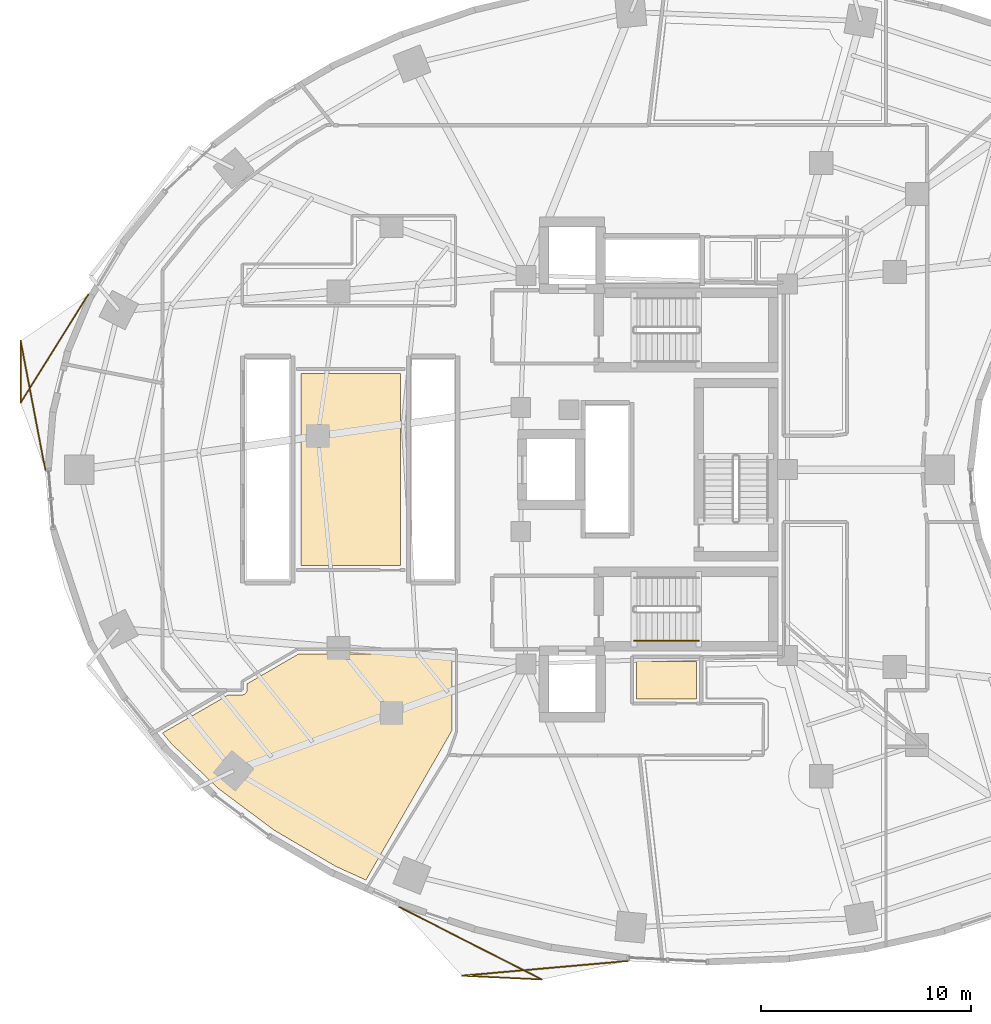
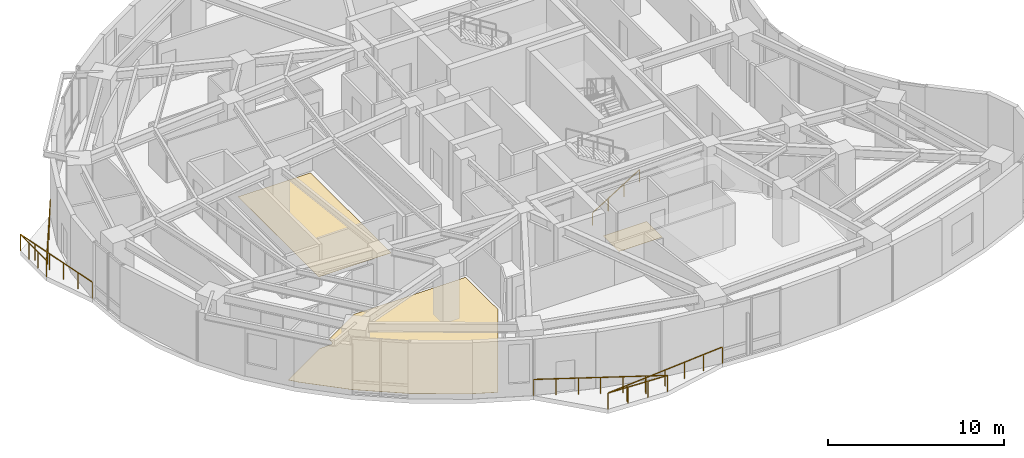
# One storey, part 13 of 15: 3 coverings, 3 railings.
"""IFC4 building model written with IfcOpenShell, lengths in metres."""

from ifc_helpers import new_model, si_unit, direction, frame, origin, origin_2d, place, context, subcontext, project, spatial, polyline, rectangle, outline, extrude, material, layer, layer_set, type_object, element, save


model = new_model("IFC4")

# Units and contexts
model_context = context("Model", 3, precision=1e-05, world=origin(), true_north=direction((0.0, 1.0)))
body_context = subcontext(model_context, "Body", "Model", "MODEL_VIEW")
ifc_project = project(units=[si_unit("LENGTHUNIT", "METRE"), si_unit("AREAUNIT", "SQUARE_METRE"), si_unit("VOLUMEUNIT", "CUBIC_METRE"), si_unit("PLANEANGLEUNIT", "RADIAN"), si_unit("MASSUNIT", "GRAM", prefix="KILO")], contexts=[model_context])

# Site, building, storey
site_placement = place(None, origin())
site = spatial("IfcSite", under=ifc_project, at=site_placement, CompositionType="ELEMENT")
building_placement = place(site_placement, origin())
building = spatial("IfcBuilding", under=site, at=building_placement, Name="Korentha Bioscience Tower", CompositionType="ELEMENT")
storey_placement = place(building_placement, frame((0.0, 0.0, 76.199951171875)))
storey = spatial("IfcBuildingStorey", under=building, at=storey_placement, Name="L17", CompositionType="ELEMENT", Elevation=76.199951171875)

# Railings
ifc_material_1 = material(Name="Stainless Steel 304", Category="steel")
railing_type_1 = type_object("IfcRailingType", Name="Brushed Stainless Stair Handrail 900", PredefinedType="HANDRAIL", material=ifc_material_1)
railing_1_placement = place(storey_placement, frame((30.25, 18.85009765625, 0.175048828125)))
element("IfcRailing", 1, at=railing_1_placement, inside=storey, type_object=railing_type_1, Name="L17 ST-2 stair handrail 1", PredefinedType="HANDRAIL", context=body_context, shape_type="SweptSolid", body=[
    extrude(rectangle(XDim=0.048095703125, YDim=0.048095703125, at=origin_2d()), frame((0.0, 0.0, 0.8759765625), z_axis=(0.847998304005, 0.0, 0.529998940003), x_axis=(0.0, 1.0, 0.0)), (0.0, 0.0, 1.0), 3.632080078125),
    extrude(rectangle(XDim=0.0419921875, YDim=0.0419921875, at=origin_2d()), origin(), (0.0, 0.0, 1.0), 0.851806640625),
    extrude(rectangle(XDim=0.0419921875, YDim=0.0419921875, at=origin_2d()), frame((1.026611328125, 0.0, 0.6416015625)), (0.0, 0.0, 1.0), 0.851806640625),
    extrude(rectangle(XDim=0.0419921875, YDim=0.0419921875, at=origin_2d()), frame((2.053466796875, 0.0, 1.283447265625)), (0.0, 0.0, 1.0), 0.851806640625),
    extrude(rectangle(XDim=0.0419921875, YDim=0.0419921875, at=origin_2d()), frame((3.080078125, 0.0, 1.925048828125)), (0.0, 0.0, 1.0), 0.851806640625),
])
ifc_material_2 = material(Name="Laminated Tempered Safety Glass", Category="glass")
railing_type_2 = type_object("IfcRailingType", Name="Laminated Glass Balcony Guardrail 1150", PredefinedType="BALUSTRADE", material=ifc_material_2)
railing_2_placement = place(storey_placement, frame((4.246337890625, 35.3291015625, 0.0)))
element("IfcRailing", 2, at=railing_2_placement, inside=storey, type_object=railing_type_2, Name="L17 Balcony Guardrail 02", PredefinedType="BALUSTRADE", context=body_context, shape_type="SweptSolid", body=[
    extrude(rectangle(XDim=0.048095703125, YDim=0.048095703125, at=origin_2d()), frame((0.0, 0.0, 1.1259765625), z_axis=(-0.530529545818, -0.847666444431, 0.0), x_axis=(0.847666444431, -0.530529545818, 0.0)), (0.0, 0.0, 1.0), 6.07861328125),
    extrude(rectangle(XDim=0.048095703125, YDim=0.048095703125, at=origin_2d()), frame((-3.224853515625, -5.152587890625, 1.1259765625), z_axis=(0.001898939773, 0.999998197012, 0.0), x_axis=(-0.999998197012, 0.001898939773, 0.0)), (0.0, 0.0, 1.0), 2.95703125),
    extrude(rectangle(XDim=0.048095703125, YDim=0.048095703125, at=origin_2d()), frame((-3.21923828125, -2.195556640625, 1.1259765625), z_axis=(0.18781629778, -0.982204173422, 0.0), x_axis=(0.982204173422, 0.18781629778, 0.0)), (0.0, 0.0, 1.0), 6.24462890625),
    extrude(rectangle(XDim=0.0419921875, YDim=0.0419921875, at=origin_2d()), origin(), (0.0, 0.0, 1.0), 1.101806640625),
    extrude(rectangle(XDim=0.0419921875, YDim=0.0419921875, at=origin_2d()), frame((-0.64501953125, -1.030517578125, 0.0)), (0.0, 0.0, 1.0), 1.101806640625),
    extrude(rectangle(XDim=0.0419921875, YDim=0.0419921875, at=origin_2d()), frame((-1.2900390625, -2.06103515625, 0.0)), (0.0, 0.0, 1.0), 1.101806640625),
    extrude(rectangle(XDim=0.0419921875, YDim=0.0419921875, at=origin_2d()), frame((-1.934814453125, -3.091552734375, 0.0)), (0.0, 0.0, 1.0), 1.101806640625),
    extrude(rectangle(XDim=0.0419921875, YDim=0.0419921875, at=origin_2d()), frame((-2.579833984375, -4.1220703125, 0.0)), (0.0, 0.0, 1.0), 1.101806640625),
    extrude(rectangle(XDim=0.0419921875, YDim=0.0419921875, at=origin_2d()), frame((-3.224853515625, -5.152587890625, 0.0)), (0.0, 0.0, 1.0), 1.101806640625),
    extrude(rectangle(XDim=0.0419921875, YDim=0.0419921875, at=origin_2d()), frame((-3.222900390625, -4.1669921875, 0.0)), (0.0, 0.0, 1.0), 1.101806640625),
    extrude(rectangle(XDim=0.0419921875, YDim=0.0419921875, at=origin_2d()), frame((-3.22119140625, -3.18115234375, 0.0)), (0.0, 0.0, 1.0), 1.101806640625),
    extrude(rectangle(XDim=0.0419921875, YDim=0.0419921875, at=origin_2d()), frame((-3.21923828125, -2.195556640625, 0.0)), (0.0, 0.0, 1.0), 1.101806640625),
    extrude(rectangle(XDim=0.0419921875, YDim=0.0419921875, at=origin_2d()), frame((-2.984619140625, -3.42236328125, 0.0)), (0.0, 0.0, 1.0), 1.101806640625),
    extrude(rectangle(XDim=0.0419921875, YDim=0.0419921875, at=origin_2d()), frame((-2.75, -4.64892578125, 0.0)), (0.0, 0.0, 1.0), 1.101806640625),
    extrude(rectangle(XDim=0.0419921875, YDim=0.0419921875, at=origin_2d()), frame((-2.515625, -5.875732421875, 0.0)), (0.0, 0.0, 1.0), 1.101806640625),
    extrude(rectangle(XDim=0.0419921875, YDim=0.0419921875, at=origin_2d()), frame((-2.281005859375, -7.102294921875, 0.0)), (0.0, 0.0, 1.0), 1.101806640625),
    extrude(rectangle(XDim=0.0419921875, YDim=0.0419921875, at=origin_2d()), frame((-2.04638671875, -8.3291015625, 0.0)), (0.0, 0.0, 1.0), 1.101806640625),
])
railing_3_placement = place(storey_placement, frame((19.07080078125, 6.162353515625, 0.0)))
element("IfcRailing", 3, at=railing_3_placement, inside=storey, type_object=railing_type_2, Name="L17 Balcony Guardrail 03", PredefinedType="BALUSTRADE", context=body_context, shape_type="SweptSolid", body=[
    extrude(rectangle(XDim=0.048095703125, YDim=0.048095703125, at=origin_2d()), frame((0.0, 0.0, 1.1259765625), z_axis=(0.891319654486, -0.45337542228, 0.0), x_axis=(0.45337542228, 0.891319654486, 0.0)), (0.0, 0.0, 1.0), 7.610107421875),
    extrude(rectangle(XDim=0.048095703125, YDim=0.048095703125, at=origin_2d()), frame((6.782958984375, -3.4501953125, 1.1259765625), z_axis=(-0.998888075522, 0.047144592276, 0.0), x_axis=(-0.047144592276, -0.998888075522, 0.0)), (0.0, 0.0, 1.0), 3.80615234375),
    extrude(rectangle(XDim=0.048095703125, YDim=0.048095703125, at=origin_2d()), frame((2.98095703125, -3.270751953125, 1.1259765625), z_axis=(0.996070888577, 0.088559499377, 0.0), x_axis=(-0.088559499377, 0.996070888577, 0.0)), (0.0, 0.0, 1.0), 7.920166015625),
    extrude(rectangle(XDim=0.0419921875, YDim=0.0419921875, at=origin_2d()), origin(), (0.0, 0.0, 1.0), 1.101806640625),
    extrude(rectangle(XDim=0.0419921875, YDim=0.0419921875, at=origin_2d()), frame((1.13037109375, -0.574951171875, 0.0)), (0.0, 0.0, 1.0), 1.101806640625),
    extrude(rectangle(XDim=0.0419921875, YDim=0.0419921875, at=origin_2d()), frame((2.260986328125, -1.150146484375, 0.0)), (0.0, 0.0, 1.0), 1.101806640625),
    extrude(rectangle(XDim=0.0419921875, YDim=0.0419921875, at=origin_2d()), frame((3.3916015625, -1.72509765625, 0.0)), (0.0, 0.0, 1.0), 1.101806640625),
    extrude(rectangle(XDim=0.0419921875, YDim=0.0419921875, at=origin_2d()), frame((4.52197265625, -2.300048828125, 0.0)), (0.0, 0.0, 1.0), 1.101806640625),
    extrude(rectangle(XDim=0.0419921875, YDim=0.0419921875, at=origin_2d()), frame((5.65234375, -2.875244140625, 0.0)), (0.0, 0.0, 1.0), 1.101806640625),
    extrude(rectangle(XDim=0.0419921875, YDim=0.0419921875, at=origin_2d()), frame((6.782958984375, -3.4501953125, 0.0)), (0.0, 0.0, 1.0), 1.101806640625),
    extrude(rectangle(XDim=0.0419921875, YDim=0.0419921875, at=origin_2d()), frame((5.515625, -3.390380859375, 0.0)), (0.0, 0.0, 1.0), 1.101806640625),
    extrude(rectangle(XDim=0.0419921875, YDim=0.0419921875, at=origin_2d()), frame((4.248291015625, -3.33056640625, 0.0)), (0.0, 0.0, 1.0), 1.101806640625),
    extrude(rectangle(XDim=0.0419921875, YDim=0.0419921875, at=origin_2d()), frame((2.98095703125, -3.270751953125, 0.0)), (0.0, 0.0, 1.0), 1.101806640625),
    extrude(rectangle(XDim=0.0419921875, YDim=0.0419921875, at=origin_2d()), frame((4.2958984375, -3.15380859375, 0.0)), (0.0, 0.0, 1.0), 1.101806640625),
    extrude(rectangle(XDim=0.0419921875, YDim=0.0419921875, at=origin_2d()), frame((5.610595703125, -3.036865234375, 0.0)), (0.0, 0.0, 1.0), 1.101806640625),
    extrude(rectangle(XDim=0.0419921875, YDim=0.0419921875, at=origin_2d()), frame((6.925537109375, -2.919921875, 0.0)), (0.0, 0.0, 1.0), 1.101806640625),
    extrude(rectangle(XDim=0.0419921875, YDim=0.0419921875, at=origin_2d()), frame((8.240478515625, -2.80322265625, 0.0)), (0.0, 0.0, 1.0), 1.101806640625),
    extrude(rectangle(XDim=0.0419921875, YDim=0.0419921875, at=origin_2d()), frame((9.55517578125, -2.686279296875, 0.0)), (0.0, 0.0, 1.0), 1.101806640625),
    extrude(rectangle(XDim=0.0419921875, YDim=0.0419921875, at=origin_2d()), frame((10.8701171875, -2.5693359375, 0.0)), (0.0, 0.0, 1.0), 1.101806640625),
])

# Coverings
ifc_material_3 = material(Name="Chemical-Resistant Epoxy Resin", Category="polymer")
ifc_layer = layer(ifc_material_3, 0.011962890625, Name="Chemical-Resistant Epoxy Resin")
ifc_layer_set = layer_set([ifc_layer], Name="Chemical-Resistant Epoxy Resin (FL-EPX)")
covering_type = type_object("IfcCoveringType", Name="Seamless Epoxy Laboratory Flooring 12", PredefinedType="FLOORING", material=ifc_layer_set)
covering_1_placement = place(storey_placement, origin())
element("IfcCovering", 4, at=covering_1_placement, inside=storey, type_object=covering_type, Name="L17 Core Instrumentation and Gas Store Floor Finish", PredefinedType="FLOORING", context=body_context, shape_type="SweptSolid", body=[
    extrude(outline(polyline([(30.3701171875, 16.080078125), (30.3701171875, 17.8701171875), (33.22998046875, 17.8701171875), (33.22998046875, 16.080078125), (30.3701171875, 16.080078125)])), origin(), (0.0, 0.0, 1.0), 0.011962890625),
])
covering_2_placement = place(storey_placement, origin())
element("IfcCovering", 5, at=covering_2_placement, inside=storey, type_object=covering_type, Name="L17 Biomechanical Motion Analysis Lab 01 Floor Finish", PredefinedType="FLOORING", context=body_context, shape_type="SweptSolid", body=[
    extrude(outline(polyline([(14.3798828125, 22.429931640625), (14.380126953125, 31.570068359375), (19.1201171875, 31.570068359375), (19.1201171875, 22.429931640625), (14.3798828125, 22.429931640625)])), origin(), (0.0, 0.0, 1.0), 0.011962890625),
])
covering_3_placement = place(storey_placement, origin())
element("IfcCovering", 6, at=covering_3_placement, inside=storey, type_object=covering_type, Name="L17 Research Colloquium Seminar Room 03 Floor Finish", PredefinedType="FLOORING", context=body_context, shape_type="SweptSolid", body=[
    extrude(outline(polyline([(8.206787109375, 13.9453125), (7.782958984375, 14.45263671875), (10.904296875, 16.261962890625), (11.591796875, 16.270263671875), (11.69775390625, 16.302490234375), (11.764404296875, 16.362548828125), (11.80322265625, 16.444580078125), (11.81005859375, 16.7939453125), (14.27001953125, 18.219970703125), (21.570068359375, 18.219970703125), (21.570068359375, 14.570068359375), (17.47412109375, 7.447021484375), (16.0458984375, 8.09521484375), (13.09619140625, 9.826171875), (10.451904296875, 11.8037109375), (8.206787109375, 13.9453125)])), origin(), (0.0, 0.0, 1.0), 0.011962890625),
])

save(model, "model.ifc")
